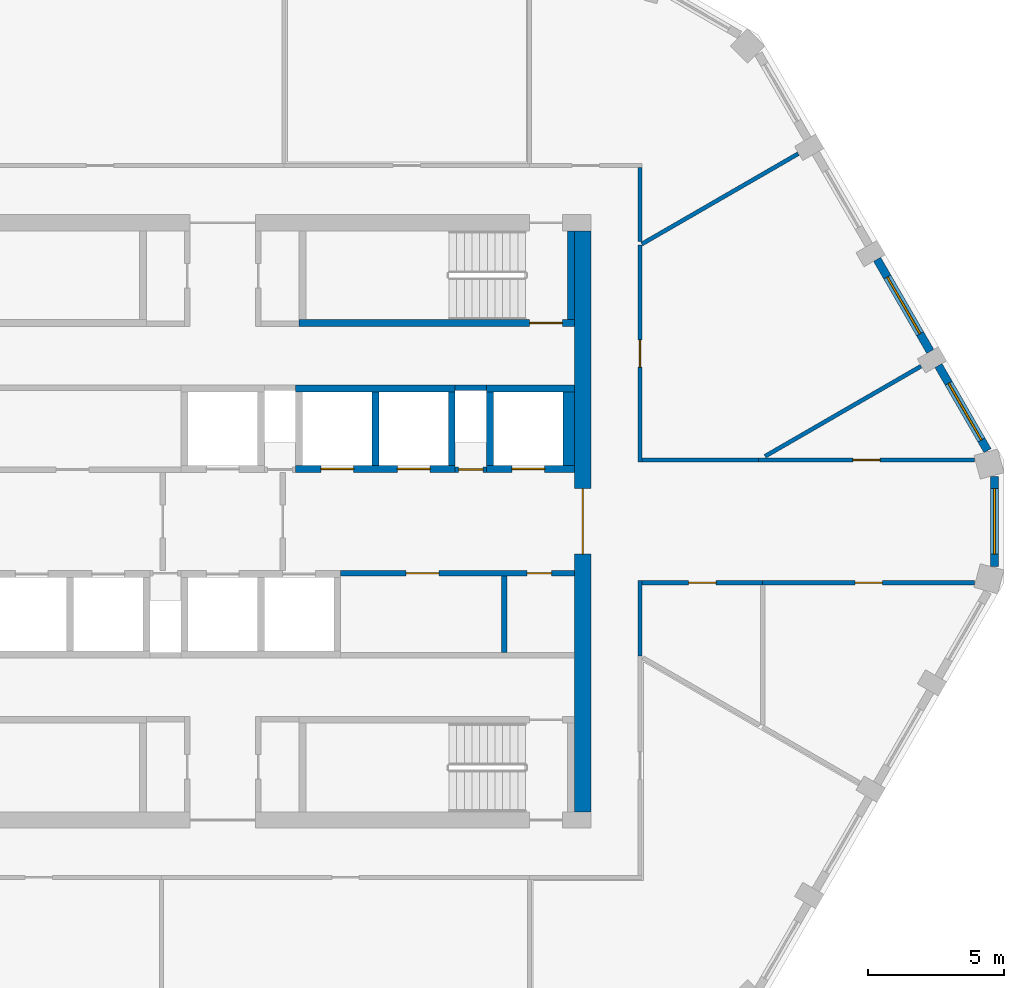
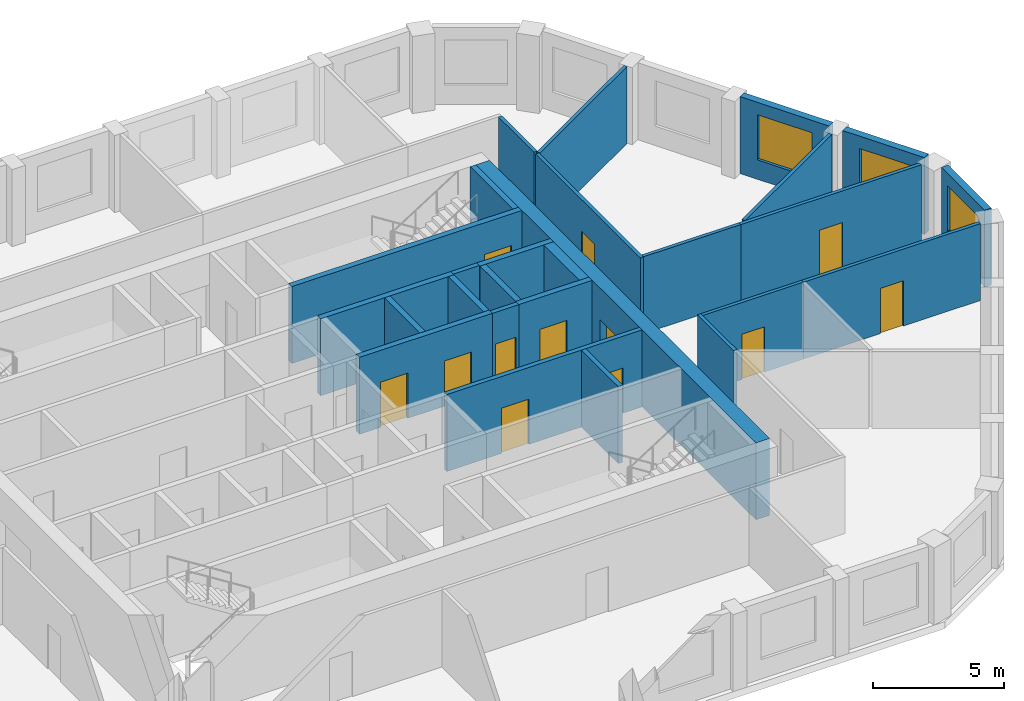
# One storey, part 5 of 10: 27 walls, 12 doors, 3 windows, 15 openings.
"""IFC4 building model written with IfcOpenShell, lengths in metres."""

import ifcopenshell
import ifcopenshell.guid

model = None  # the IFC model being written
_history = None  # IfcOwnerHistory: only IFC2X3 demands one
_inside = {}  # id of a spatial element -> (the spatial element, [elements in it])
_under = {}  # id of a project, library or spatial element -> (it, [spatial elements below it])
_declared = {}  # id of a project -> (the project, [libraries it declares])
_typed = {}  # id of a type object -> (the type object, [elements of that type])
_made_of = {}  # id of a material, layer set ... -> (it, [elements and type objects made of it])


def new_model(schema):
    """Start an empty IFC model of exactly this schema.

    Asked for "IFC4X3", IfcOpenShell would pick the latest addendum, in which some entities
    have other attributes; the version numbers below select the first issue.
    IFC2X3 requires an IfcOwnerHistory on every rooted entity: one is made here for all.
    """
    global model, _history
    if schema == "IFC4X3":
        model = ifcopenshell.file(schema_version=(4, 3, 0, 0))
    else:
        model = ifcopenshell.file(schema=schema)
    _inside.clear()
    _under.clear()
    _declared.clear()
    _typed.clear()
    _made_of.clear()
    _history = None
    if model.schema == "IFC2X3":
        org = make("IfcOrganization", Name="unknown")
        user = make(
            "IfcPersonAndOrganization",
            ThePerson=make("IfcPerson", FamilyName="unknown"),
            TheOrganization=org,
        )
        app = make(
            "IfcApplication",
            ApplicationDeveloper=org,
            Version="unknown",
            ApplicationFullName="unknown",
            ApplicationIdentifier="unknown",
        )
        _history = make(
            "IfcOwnerHistory",
            OwningUser=user,
            OwningApplication=app,
            ChangeAction="ADDED",
            CreationDate=0,
        )
    return model


def make(cls, **values):
    """One entity of the class cls with the attributes given. An attribute that is None is left unset."""
    return model.create_entity(
        cls, **{name: value for name, value in values.items() if value is not None}
    )


def rooted(cls, **values):
    """An entity with a GlobalId (a new one), such as an element, a storey or a relation."""
    return make(cls, GlobalId=ifcopenshell.guid.new(), OwnerHistory=_history, **values)


def si_unit(unit_type, name, prefix=None):
    """IfcSIUnit, for example si_unit("LENGTHUNIT", "METRE", prefix="MILLI")."""
    return make("IfcSIUnit", UnitType=unit_type, Prefix=prefix, Name=name)


def assignment(units):
    """IfcUnitAssignment: the units of a project."""
    return None if units is None else make("IfcUnitAssignment", Units=units)


def point(xyz):
    """IfcCartesianPoint."""
    return None if xyz is None else make("IfcCartesianPoint", Coordinates=xyz)


def direction(xyz):
    """IfcDirection."""
    return None if xyz is None else make("IfcDirection", DirectionRatios=xyz)


def frame(location, z_axis=None, x_axis=None):
    """IfcAxis2Placement3D, a coordinate frame: its origin and axes. An axis left out is left unset."""
    return make(
        "IfcAxis2Placement3D",
        Location=point(location),
        Axis=direction(z_axis),
        RefDirection=direction(x_axis),
    )


def frame_2d(location, x_axis=None):
    """IfcAxis2Placement2D, a coordinate frame in the plane: its origin and x axis."""
    return make(
        "IfcAxis2Placement2D", Location=point(location), RefDirection=direction(x_axis)
    )


def origin():
    """The frame at (0, 0, 0) with its axes left unset."""
    return frame((0.0, 0.0, 0.0))


def place(relative_to, where):
    """IfcLocalPlacement: puts the frame where relative to a parent placement (None: the world)."""
    return make(
        "IfcLocalPlacement", PlacementRelTo=relative_to, RelativePlacement=where
    )


def context(
    kind, dimensions, precision=None, world=None, true_north=None, identifier=None
):
    """IfcGeometricRepresentationContext, for example the 3D "Model" context."""
    return make(
        "IfcGeometricRepresentationContext",
        ContextIdentifier=identifier,
        ContextType=kind,
        CoordinateSpaceDimension=dimensions,
        Precision=precision,
        WorldCoordinateSystem=world,
        TrueNorth=true_north,
    )


def subcontext(parent, identifier, kind, view, scale=None):
    """IfcGeometricRepresentationSubContext, for example "Body" below "Model"."""
    return make(
        "IfcGeometricRepresentationSubContext",
        ContextIdentifier=identifier,
        ContextType=kind,
        ParentContext=parent,
        TargetScale=scale,
        TargetView=view,
    )


def project(units=None, contexts=None):
    """IfcProject with its units and contexts."""
    return rooted(
        "IfcProject",
        Name="project",
        RepresentationContexts=contexts,
        UnitsInContext=assignment(units),
    )


def spatial(cls, under=None, at=None, **own):
    """A site, building, storey or space (cls), placed at a placement, below another one or the project."""
    s = rooted(cls, ObjectPlacement=at, **own)
    if under is not None:
        _under.setdefault(under.id(), (under, []))[1].append(s)
    return s


def polyline(points):
    """IfcPolyline through the points."""
    return make("IfcPolyline", Points=[point(p) for p in points])


def profile(cls, at=None, kind="AREA", **sizes):
    """A parametric profile (cls). Its sizes go by their IFC names, for example OverallWidth=200.0."""
    return make(cls, ProfileType=kind, Position=at, **sizes)


def rectangle(**sizes):
    """IfcRectangleProfileDef."""
    return profile("IfcRectangleProfileDef", **sizes)


def outline(outer, holes=None, kind="AREA"):
    """IfcArbitraryClosedProfileDef: a profile drawn as a closed curve; with holes, ...WithVoids."""
    if holes is None:
        return make("IfcArbitraryClosedProfileDef", ProfileType=kind, OuterCurve=outer)
    return make(
        "IfcArbitraryProfileDefWithVoids",
        ProfileType=kind,
        OuterCurve=outer,
        InnerCurves=holes,
    )


def extrude(swept, where, along, depth):
    """IfcExtrudedAreaSolid: the profile swept, set in the frame where, extruded along a direction by depth."""
    return make(
        "IfcExtrudedAreaSolid",
        SweptArea=swept,
        Position=where,
        ExtrudedDirection=direction(along),
        Depth=depth,
    )


def shape(context_of_items, identifier, shape_type, items):
    """IfcShapeRepresentation: the items that make up one representation, for example the "Body"."""
    return make(
        "IfcShapeRepresentation",
        ContextOfItems=context_of_items,
        RepresentationIdentifier=identifier,
        RepresentationType=shape_type,
        Items=items,
    )


def material(Name=None, Category=None):
    """IfcMaterial."""
    return make("IfcMaterial", Name=Name, Category=Category)


def layer(
    of_material, thickness, ventilated=None, Name=None, Category=None, Priority=None
):
    """IfcMaterialLayer: one layer of a wall or slab, of a material (None: an air gap)."""
    return make(
        "IfcMaterialLayer",
        Material=of_material,
        LayerThickness=thickness,
        IsVentilated=ventilated,
        Name=Name,
        Category=Category,
        Priority=Priority,
    )


def layer_set(layers, Name=None):
    """IfcMaterialLayerSet."""
    return make("IfcMaterialLayerSet", MaterialLayers=layers, LayerSetName=Name)


def made_of(thing, what):
    """Note that an element or type object is made of a material, layer set ...; save() writes the relation."""
    if what is not None:
        _made_of.setdefault(what.id(), (what, []))[1].append(thing)
    return thing


def type_object(cls, material=None, **own):
    """A type object (cls), such as IfcWallType, which elements share."""
    return made_of(rooted(cls, **own), material)


def element(
    cls,
    number,
    at=None,
    inside=None,
    cuts=None,
    type_object=None,
    material=None,
    context=None,
    identifier="Body",
    shape_type=None,
    held_by="IfcProductDefinitionShape",
    body=None,
    shapes=None,
    **own,
):
    """One element of the class cls, such as IfcWall. Its Tag is "e" and its number.

    at: its placement. inside: the storey or other place that contains it. cuts: it is an
    opening in that element (IfcRelVoidsElement). A single representation is given by context,
    identifier, shape_type and body (its items); several are given by shapes. held_by: the class
    of the entity that holds the representations. save() writes the other relations.
    """
    e = rooted(cls, Tag="e%d" % number, ObjectPlacement=at, **own)
    if body is not None:
        shapes = [shape(context, identifier, shape_type, body)]
    if shapes is not None:
        e.Representation = make(held_by, Representations=shapes)
    if inside is not None:
        _inside.setdefault(inside.id(), (inside, []))[1].append(e)
    if cuts is not None:
        rooted(
            "IfcRelVoidsElement", RelatingBuildingElement=cuts, RelatedOpeningElement=e
        )
    if type_object is not None:
        _typed.setdefault(type_object.id(), (type_object, []))[1].append(e)
    return made_of(e, material)


def fill(opening, filler):
    """IfcRelFillsElement: the door or window that sits in an opening."""
    return rooted(
        "IfcRelFillsElement",
        RelatingOpeningElement=opening,
        RelatedBuildingElement=filler,
    )


def aggregate(whole, parts):
    """IfcRelAggregates: a whole, such as a stair, and the parts it consists of."""
    return rooted("IfcRelAggregates", RelatingObject=whole, RelatedObjects=parts)


def save(model, path):
    """Write the relations noted so far, then the file.

    IfcRelAggregates (storeys below a building ...), IfcRelContainedInSpatialStructure (elements
    in a storey), IfcRelDefinesByType, IfcRelAssociatesMaterial and IfcRelDeclares: one each for
    every whole, place, type object, material and project.
    """
    for whole, parts in _under.values():
        aggregate(whole, parts)
    for where, things in _inside.values():
        rooted(
            "IfcRelContainedInSpatialStructure",
            RelatedElements=things,
            RelatingStructure=where,
        )
    for kind, things in _typed.values():
        rooted("IfcRelDefinesByType", RelatedObjects=things, RelatingType=kind)
    for what, things in _made_of.values():
        rooted("IfcRelAssociatesMaterial", RelatedObjects=things, RelatingMaterial=what)
    for by, libraries in _declared.values():
        rooted("IfcRelDeclares", RelatingContext=by, RelatedDefinitions=libraries)
    model.write(path)


model = new_model("IFC4")

# Units and contexts
model_context = context("Model", 3, precision=1e-05, world=origin(), true_north=direction((0.0, 1.0)))
body_context = subcontext(model_context, "Body", "Model", "MODEL_VIEW")
ifc_project = project(units=[si_unit("LENGTHUNIT", "METRE"), si_unit("AREAUNIT", "SQUARE_METRE"), si_unit("VOLUMEUNIT", "CUBIC_METRE"), si_unit("PLANEANGLEUNIT", "RADIAN"), si_unit("MASSUNIT", "GRAM", prefix="KILO")], contexts=[model_context])

# Site, building, storey
site_placement = place(None, origin())
site = spatial("IfcSite", under=ifc_project, at=site_placement, CompositionType="ELEMENT")
building_placement = place(site_placement, origin())
building = spatial("IfcBuilding", under=site, at=building_placement, Name="Dhurran Vertical Campus", CompositionType="ELEMENT")
storey_placement = place(building_placement, frame((0.0, 0.0, 298.199951171875)))
storey = spatial("IfcBuildingStorey", under=building, at=storey_placement, Name="L74", CompositionType="ELEMENT", Elevation=298.199951171875)

# Wall, opening, window
ifc_material_1 = material(Name="Precast concrete C50/60", Category="concrete")
ifc_layer_1 = layer(ifc_material_1, 0.300048828125)
ifc_layer_set_1 = layer_set([ifc_layer_1], Name="Precast concrete C50/60")
wall_type_1 = type_object("IfcWallType", Name="Precast spandrel wall 300", PredefinedType="SOLIDWALL", material=ifc_layer_set_1)
wall_1_placement = place(storey_placement, frame((28.297119140625, -1.64990234375, 0.0), z_axis=(0.0, 0.0, 1.0), x_axis=(0.0, 1.0, 0.0)))
wall_1 = element("IfcWall", 1, at=wall_1_placement, inside=storey, type_object=wall_type_1, Name="EW1 L74.12", PredefinedType="SOLIDWALL", context=body_context, shape_type="SweptSolid", body=[
    extrude(rectangle(XDim=3.2998046875, YDim=0.300048828125, at=frame_2d((1.64990234375, 0.0))), origin(), (0.0, 0.0, 1.0), 3.574951171875),
])
opening_1_placement = place(wall_1_placement, frame((0.449951171875, 0.0, 0.89990234375)))
opening_1 = element("IfcOpeningElement", 2, at=opening_1_placement, cuts=wall_1, Name="Opening WT1", PredefinedType="OPENING", context=body_context, shape_type="SweptSolid", body=[
    extrude(rectangle(XDim=2.39990234375, YDim=2.10009765625, at=frame_2d((1.199951171875, 1.050048828125))), frame((0.0, 0.159912109375, 0.0), z_axis=(0.0, -1.0, 0.0), x_axis=(1.0, 0.0, 0.0)), (0.0, 0.0, 1.0), 0.320068359375),
])
ifc_material_2 = material(Name="Aluminium frame with solar-control glass", Category="aluminium")
window_type = type_object("IfcWindowType", Name="Punched window 2400 x 2100", PartitioningType="SINGLE_PANEL", PredefinedType="WINDOW", material=ifc_material_2)
window_1_placement = place(opening_1_placement, origin())
window_1 = element("IfcWindow", 3, at=window_1_placement, inside=storey, type_object=window_type, Name="WT1 L74.12", OverallHeight=2.10009765625, OverallWidth=2.39990234375, PartitioningType="SINGLE_PANEL", PredefinedType="WINDOW", context=body_context, shape_type="SweptSolid", body=[
    extrude(rectangle(XDim=2.39990234375, YDim=2.10009765625, at=frame_2d((1.199951171875, 1.050048828125))), frame((0.0, 0.030029296875, 0.0), z_axis=(0.0, -1.0, 0.0), x_axis=(1.0, 0.0, 0.0)), (0.0, 0.0, 1.0), 0.06005859375),
])
fill(opening_1, window_1)

wall_2_placement = place(storey_placement, frame((28.0439453125, 2.5947265625, 0.0), z_axis=(0.0, 0.0, 1.0), x_axis=(-0.499969057507, 0.866043267704, 0.0)))
wall_2 = element("IfcWall", 4, at=wall_2_placement, inside=storey, type_object=wall_type_1, Name="EW1 L74.13", PredefinedType="SOLIDWALL", context=body_context, shape_type="SweptSolid", body=[
    extrude(rectangle(XDim=3.599365234375, YDim=0.300048828125, at=frame_2d((1.7998046875, 0.0))), origin(), (0.0, 0.0, 1.0), 3.574951171875),
])
opening_2_placement = place(wall_2_placement, frame((0.449951171875, 0.0, 0.89990234375)))
opening_2 = element("IfcOpeningElement", 5, at=opening_2_placement, cuts=wall_2, Name="Opening WT1", PredefinedType="OPENING", context=body_context, shape_type="SweptSolid", body=[
    extrude(rectangle(XDim=2.39990234375, YDim=2.10009765625, at=frame_2d((1.199951171875, 1.050048828125))), frame((0.0, 0.159912109375, 0.0), z_axis=(0.0, -1.0, 0.0), x_axis=(1.0, 0.0, 0.0)), (0.0, 0.0, 1.0), 0.320068359375),
])
window_2_placement = place(opening_2_placement, origin())
window_2 = element("IfcWindow", 6, at=window_2_placement, inside=storey, type_object=window_type, Name="WT1 L74.13", OverallHeight=2.10009765625, OverallWidth=2.39990234375, PartitioningType="SINGLE_PANEL", PredefinedType="WINDOW", context=body_context, shape_type="SweptSolid", body=[
    extrude(rectangle(XDim=2.39990234375, YDim=2.10009765625, at=frame_2d((1.199951171875, 1.050048828125))), frame((0.0, 0.030029296875, 0.0), z_axis=(0.0, -1.0, 0.0), x_axis=(1.0, 0.0, 0.0)), (0.0, 0.0, 1.0), 0.06005859375),
])
fill(opening_2, window_2)

wall_3_placement = place(storey_placement, frame((25.94384765625, 6.232421875, 0.0), z_axis=(0.0, 0.0, 1.0), x_axis=(-0.500011542666, 0.866018739521, 0.0)))
wall_3 = element("IfcWall", 7, at=wall_3_placement, inside=storey, type_object=wall_type_1, Name="EW1 L74.14", PredefinedType="SOLIDWALL", context=body_context, shape_type="SweptSolid", body=[
    extrude(rectangle(XDim=3.89892578125, YDim=0.300048828125, at=frame_2d((1.949462890625, 0.0))), origin(), (0.0, 0.0, 1.0), 3.574951171875),
])
opening_3_placement = place(wall_3_placement, frame((0.74951171875, 0.0, 0.89990234375)))
opening_3 = element("IfcOpeningElement", 8, at=opening_3_placement, cuts=wall_3, Name="Opening WT1", PredefinedType="OPENING", context=body_context, shape_type="SweptSolid", body=[
    extrude(rectangle(XDim=2.39990234375, YDim=2.10009765625, at=frame_2d((1.199951171875, 1.050048828125))), frame((0.0, 0.159912109375, 0.0), z_axis=(0.0, -1.0, 0.0), x_axis=(1.0, 0.0, 0.0)), (0.0, 0.0, 1.0), 0.320068359375),
])
window_3_placement = place(opening_3_placement, origin())
window_3 = element("IfcWindow", 9, at=window_3_placement, inside=storey, type_object=window_type, Name="WT1 L74.14", OverallHeight=2.10009765625, OverallWidth=2.39990234375, PartitioningType="SINGLE_PANEL", PredefinedType="WINDOW", context=body_context, shape_type="SweptSolid", body=[
    extrude(rectangle(XDim=2.39990234375, YDim=2.10009765625, at=frame_2d((1.199951171875, 1.050048828125))), frame((0.0, 0.030029296875, 0.0), z_axis=(0.0, -1.0, 0.0), x_axis=(1.0, 0.0, 0.0)), (0.0, 0.0, 1.0), 0.06005859375),
])
fill(opening_3, window_3)

# Wall, opening, door
ifc_material_3 = material(Name="Concrete C50/60", Category="concrete")
ifc_layer_2 = layer(ifc_material_3, 0.60009765625)
ifc_layer_set_2 = layer_set([ifc_layer_2], Name="Concrete C50/60")
wall_type_2 = type_object("IfcWallType", Name="co-CORE-WALL-C2-600", PredefinedType="SHEAR", material=ifc_layer_set_2)
wall_4_placement = place(storey_placement, frame((13.199951171875, -10.64990234375, 0.0), z_axis=(0.0, 0.0, 1.0), x_axis=(0.0, 1.0, 0.0)))
wall_4 = element("IfcWall", 10, at=wall_4_placement, inside=storey, type_object=wall_type_2, Name="Core wall E L74", PredefinedType="SHEAR", context=body_context, shape_type="SweptSolid", body=[
    extrude(rectangle(XDim=21.2998046875, YDim=0.60009765625, at=frame_2d((10.64990234375, 0.0))), origin(), (0.0, 0.0, 1.0), 3.574951171875),
])
opening_4_placement = place(wall_4_placement, frame((9.449951171875, 0.0, 0.0)))
opening_4 = element("IfcOpeningElement", 11, at=opening_4_placement, cuts=wall_4, Name="Opening CL2", PredefinedType="OPENING", context=body_context, shape_type="SweptSolid", body=[
    extrude(rectangle(XDim=2.39990234375, YDim=2.10009765625, at=frame_2d((1.199951171875, 1.050048828125))), frame((0.0, 0.31005859375, 0.0), z_axis=(0.0, -1.0, 0.0), x_axis=(1.0, 0.0, 0.0)), (0.0, 0.0, 1.0), 0.6201171875),
])
ifc_material_4 = material(Name="Fire-rated glazed door set")
door_type_1 = type_object("IfcDoorType", Name="co-D-LOBBY 2400x2100", OperationType="DOUBLE_DOOR_DOUBLE_SWING", PredefinedType="DOOR", material=ifc_material_4)
door_1_placement = place(opening_4_placement, origin())
door_1 = element("IfcDoor", 12, at=door_1_placement, inside=storey, type_object=door_type_1, Name="Lift lobby door E L74", OperationType="DOUBLE_DOOR_DOUBLE_SWING", OverallHeight=2.10009765625, OverallWidth=2.39990234375, PredefinedType="DOOR", context=body_context, shape_type="SweptSolid", body=[
    extrude(rectangle(XDim=2.39990234375, YDim=2.10009765625, at=frame_2d((1.199951171875, 1.050048828125))), frame((0.0, 0.02490234375, 0.0), z_axis=(0.0, -1.0, 0.0), x_axis=(1.0, 0.0, 0.0)), (0.0, 0.0, 1.0), 0.050048828125),
])
fill(opening_4, door_1)

ifc_material_5 = material(Name="Fire-rated masonry blockwork", Category="masonry")
ifc_layer_3 = layer(ifc_material_5, 0.199951171875)
ifc_layer_set_3 = layer_set([ifc_layer_3], Name="Fire-rated masonry blockwork")
wall_type_3 = type_object("IfcWallType", Name="co-FIRE-PARTITION-200", PredefinedType="PARTITIONING", material=ifc_layer_set_3)
wall_5_placement = place(storey_placement, frame((8.52490234375, 1.89990234375, 0.0), z_axis=(0.0, 0.0, 1.0), x_axis=(1.0, 0.0, 0.0)))
wall_5 = element("IfcWall", 13, at=wall_5_placement, inside=storey, type_object=wall_type_3, Name="Core partition fr-N2-f L74", PredefinedType="PARTITIONING", context=body_context, shape_type="SweptSolid", body=[
    extrude(rectangle(XDim=1.150146484375, YDim=0.199951171875, at=frame_2d((0.5751953125, 0.0))), origin(), (0.0, 0.0, 1.0), 3.574951171875),
])
opening_5_placement = place(wall_5_placement, frame((0.125, 0.0, 0.0)))
opening_5 = element("IfcOpeningElement", 14, at=opening_5_placement, cuts=wall_5, Name="Opening T22-C8", PredefinedType="OPENING", context=body_context, shape_type="SweptSolid", body=[
    extrude(rectangle(XDim=0.89990234375, YDim=2.10009765625, at=frame_2d((0.449951171875, 1.050048828125))), frame((0.0, 0.10986328125, 0.0), z_axis=(0.0, -1.0, 0.0), x_axis=(1.0, 0.0, 0.0)), (0.0, 0.0, 1.0), 0.219970703125),
])
ifc_material_6 = material(Name="Fire-rated timber door set", Category="wood")
door_type_2 = type_object("IfcDoorType", Name="co-D-ROOM 900x2100", OperationType="SINGLE_SWING_LEFT", PredefinedType="DOOR", material=ifc_material_6)
door_2_placement = place(opening_5_placement, origin())
door_2 = element("IfcDoor", 15, at=door_2_placement, inside=storey, type_object=door_type_2, Name="Communications riser door L74", OperationType="SINGLE_SWING_LEFT", OverallHeight=2.10009765625, OverallWidth=0.89990234375, PredefinedType="DOOR", context=body_context, shape_type="SweptSolid", body=[
    extrude(rectangle(XDim=0.89990234375, YDim=2.10009765625, at=frame_2d((0.449951171875, 1.050048828125))), frame((0.0, 0.02490234375, 0.0), z_axis=(0.0, -1.0, 0.0), x_axis=(1.0, 0.0, 0.0)), (0.0, 0.0, 1.0), 0.050048828125),
])
fill(opening_5, door_2)

# Walls
wall_6_placement = place(storey_placement, frame((8.52490234375, 4.89990234375, 0.0), z_axis=(0.0, 0.0, 1.0), x_axis=(1.0, 0.0, 0.0)))
element("IfcWall", 16, at=wall_6_placement, inside=storey, type_object=wall_type_3, Name="Core partition fr-N2-b L74", PredefinedType="PARTITIONING", context=body_context, shape_type="SweptSolid", body=[
    extrude(rectangle(XDim=1.150146484375, YDim=0.199951171875, at=frame_2d((0.5751953125, 0.0))), origin(), (0.0, 0.0, 1.0), 3.574951171875),
])
wall_7_placement = place(storey_placement, frame((10.327392578125, -4.800048828125, 0.0), z_axis=(0.0, 0.0, 1.0), x_axis=(0.0, 1.0, 0.0)))
element("IfcWall", 17, at=wall_7_placement, inside=storey, type_object=wall_type_3, Name="Core partition fr-S2-cut0 L74", PredefinedType="PARTITIONING", context=body_context, shape_type="SweptSolid", body=[
    extrude(rectangle(XDim=2.800048828125, YDim=0.199951171875, at=frame_2d((1.39990234375, 0.0))), origin(), (0.0, 0.0, 1.0), 3.574951171875),
])

# Wall, openings, doors
wall_8_placement = place(storey_placement, frame((4.324951171875, -1.89990234375, 0.0), z_axis=(0.0, 0.0, 1.0), x_axis=(1.0, 0.0, 0.0)))
wall_8 = element("IfcWall", 18, at=wall_8_placement, inside=storey, type_object=wall_type_3, Name="Core partition fr-S2-f L74", PredefinedType="PARTITIONING", context=body_context, shape_type="SweptSolid", body=[
    extrude(rectangle(XDim=8.574951171875, YDim=0.199951171875, at=frame_2d((4.28759765625, 0.0))), origin(), (0.0, 0.0, 1.0), 3.574951171875),
])
opening_6_placement = place(wall_8_placement, frame((2.4013671875, 0.0, 0.0)))
opening_6 = element("IfcOpeningElement", 19, at=opening_6_placement, cuts=wall_8, Name="Opening T22-C11", PredefinedType="OPENING", context=body_context, shape_type="SweptSolid", body=[
    extrude(rectangle(XDim=1.199951171875, YDim=2.10009765625, at=frame_2d((0.60009765625, 1.050048828125))), frame((0.0, 0.10986328125, 0.0), z_axis=(0.0, -1.0, 0.0), x_axis=(1.0, 0.0, 0.0)), (0.0, 0.0, 1.0), 0.219970703125),
])
opening_7_placement = place(wall_8_placement, frame((6.8388671875, 0.0, 0.0)))
opening_7 = element("IfcOpeningElement", 20, at=opening_7_placement, cuts=wall_8, Name="Opening T22-C12", PredefinedType="OPENING", context=body_context, shape_type="SweptSolid", body=[
    extrude(rectangle(XDim=0.89990234375, YDim=2.10009765625, at=frame_2d((0.449951171875, 1.050048828125))), frame((0.0, 0.10986328125, 0.0), z_axis=(0.0, -1.0, 0.0), x_axis=(1.0, 0.0, 0.0)), (0.0, 0.0, 1.0), 0.219970703125),
])
door_3_placement = place(opening_7_placement, origin())
door_3 = element("IfcDoor", 21, at=door_3_placement, inside=storey, type_object=door_type_2, Name="Server room door L74", OperationType="SINGLE_SWING_LEFT", OverallHeight=2.10009765625, OverallWidth=0.89990234375, PredefinedType="DOOR", context=body_context, shape_type="SweptSolid", body=[
    extrude(rectangle(XDim=0.89990234375, YDim=2.10009765625, at=frame_2d((0.449951171875, 1.050048828125))), frame((0.0, 0.02490234375, 0.0), z_axis=(0.0, -1.0, 0.0), x_axis=(1.0, 0.0, 0.0)), (0.0, 0.0, 1.0), 0.050048828125),
])
fill(opening_7, door_3)
ifc_material_7 = material(Name="Fire-rated steel door set", Category="steel")
door_type_3 = type_object("IfcDoorType", Name="co-D-ROOM-PASSAGE 1200x2100", OperationType="SINGLE_SWING_RIGHT", PredefinedType="DOOR", material=ifc_material_7)
door_4_placement = place(opening_6_placement, origin())
door_4 = element("IfcDoor", 22, at=door_4_placement, inside=storey, type_object=door_type_3, Name="Store door L74", OperationType="SINGLE_SWING_RIGHT", OverallHeight=2.10009765625, OverallWidth=1.199951171875, PredefinedType="DOOR", context=body_context, shape_type="SweptSolid", body=[
    extrude(rectangle(XDim=1.199951171875, YDim=2.10009765625, at=frame_2d((0.60009765625, 1.050048828125))), frame((0.0, 0.02490234375, 0.0), z_axis=(0.0, -1.0, 0.0), x_axis=(1.0, 0.0, 0.0)), (0.0, 0.0, 1.0), 0.050048828125),
])
fill(opening_6, door_4)

ifc_material_8 = material(Name="Concrete C50/60", Category="concrete")
ifc_layer_4 = layer(ifc_material_8, 0.25)
ifc_layer_set_4 = layer_set([ifc_layer_4], Name="Concrete C50/60")
wall_type_4 = type_object("IfcWallType", Name="co-SHAFT-FRONT-250", PredefinedType="SHEAR", material=ifc_layer_set_4)
wall_9_placement = place(storey_placement, frame((2.675048828125, 1.925048828125, 0.0), z_axis=(0.0, 0.0, 1.0), x_axis=(1.0, 0.0, 0.0)))
wall_9 = element("IfcWall", 23, at=wall_9_placement, inside=storey, type_object=wall_type_4, Name="Lift landing wall N L74", PredefinedType="SHEAR", context=body_context, shape_type="SweptSolid", body=[
    extrude(rectangle(XDim=5.849853515625, YDim=0.25, at=frame_2d((2.9248046875, 0.0))), origin(), (0.0, 0.0, 1.0), 3.574951171875),
])
opening_8_placement = place(wall_9_placement, frame((0.925048828125, 0.0, 0.0)))
opening_8 = element("IfcOpeningElement", 24, at=opening_8_placement, cuts=wall_9, Name="Opening LD", PredefinedType="OPENING", context=body_context, shape_type="SweptSolid", body=[
    extrude(rectangle(XDim=1.199951171875, YDim=2.10009765625, at=frame_2d((0.60009765625, 1.050048828125))), frame((0.0, 0.135009765625, 0.0), z_axis=(0.0, -1.0, 0.0), x_axis=(1.0, 0.0, 0.0)), (0.0, 0.0, 1.0), 0.27001953125),
])
opening_9_placement = place(wall_9_placement, frame((3.72509765625, 0.0, 0.0)))
opening_9 = element("IfcOpeningElement", 25, at=opening_9_placement, cuts=wall_9, Name="Opening LD", PredefinedType="OPENING", context=body_context, shape_type="SweptSolid", body=[
    extrude(rectangle(XDim=1.199951171875, YDim=2.10009765625, at=frame_2d((0.60009765625, 1.050048828125))), frame((0.0, 0.135009765625, 0.0), z_axis=(0.0, -1.0, 0.0), x_axis=(1.0, 0.0, 0.0)), (0.0, 0.0, 1.0), 0.27001953125),
])
ifc_material_9 = material(Name="Stainless steel landing door", Category="steel")
door_type_4 = type_object("IfcDoorType", Name="co-D-LANDING 1200x2100", OperationType="DOUBLE_DOOR_SLIDING", PredefinedType="DOOR", material=ifc_material_9)
door_5_placement = place(opening_8_placement, origin())
door_5 = element("IfcDoor", 26, at=door_5_placement, inside=storey, type_object=door_type_4, Name="Landing door HR1 L74", OperationType="DOUBLE_DOOR_SLIDING", OverallHeight=2.10009765625, OverallWidth=1.199951171875, PredefinedType="DOOR", context=body_context, shape_type="SweptSolid", body=[
    extrude(rectangle(XDim=1.199951171875, YDim=2.10009765625, at=frame_2d((0.60009765625, 1.050048828125))), frame((0.0, 0.02490234375, 0.0), z_axis=(0.0, -1.0, 0.0), x_axis=(1.0, 0.0, 0.0)), (0.0, 0.0, 1.0), 0.050048828125),
])
fill(opening_8, door_5)
door_6_placement = place(opening_9_placement, origin())
door_6 = element("IfcDoor", 27, at=door_6_placement, inside=storey, type_object=door_type_4, Name="Landing door HR2 L74", OperationType="DOUBLE_DOOR_SLIDING", OverallHeight=2.10009765625, OverallWidth=1.199951171875, PredefinedType="DOOR", context=body_context, shape_type="SweptSolid", body=[
    extrude(rectangle(XDim=1.199951171875, YDim=2.10009765625, at=frame_2d((0.60009765625, 1.050048828125))), frame((0.0, 0.02490234375, 0.0), z_axis=(0.0, -1.0, 0.0), x_axis=(1.0, 0.0, 0.0)), (0.0, 0.0, 1.0), 0.050048828125),
])
fill(opening_9, door_6)

# Wall, opening, door
wall_10_placement = place(storey_placement, frame((9.675048828125, 1.925048828125, 0.0), z_axis=(0.0, 0.0, 1.0), x_axis=(1.0, 0.0, 0.0)))
wall_10 = element("IfcWall", 28, at=wall_10_placement, inside=storey, type_object=wall_type_4, Name="Lift landing wall N L74", PredefinedType="SHEAR", context=body_context, shape_type="SweptSolid", body=[
    extrude(rectangle(XDim=3.224853515625, YDim=0.25, at=frame_2d((1.6123046875, 0.0))), origin(), (0.0, 0.0, 1.0), 3.574951171875),
])
opening_10_placement = place(wall_10_placement, frame((0.925048828125, 0.0, 0.0)))
opening_10 = element("IfcOpeningElement", 29, at=opening_10_placement, cuts=wall_10, Name="Opening LD", PredefinedType="OPENING", context=body_context, shape_type="SweptSolid", body=[
    extrude(rectangle(XDim=1.199951171875, YDim=2.10009765625, at=frame_2d((0.60009765625, 1.050048828125))), frame((0.0, 0.135009765625, 0.0), z_axis=(0.0, -1.0, 0.0), x_axis=(1.0, 0.0, 0.0)), (0.0, 0.0, 1.0), 0.27001953125),
])
door_7_placement = place(opening_10_placement, origin())
door_7 = element("IfcDoor", 30, at=door_7_placement, inside=storey, type_object=door_type_4, Name="Landing door SV2 L74", OperationType="DOUBLE_DOOR_SLIDING", OverallHeight=2.10009765625, OverallWidth=1.199951171875, PredefinedType="DOOR", context=body_context, shape_type="SweptSolid", body=[
    extrude(rectangle(XDim=1.199951171875, YDim=2.10009765625, at=frame_2d((0.60009765625, 1.050048828125))), frame((0.0, 0.02490234375, 0.0), z_axis=(0.0, -1.0, 0.0), x_axis=(1.0, 0.0, 0.0)), (0.0, 0.0, 1.0), 0.050048828125),
])
fill(opening_10, door_7)

# Walls
ifc_material_10 = material(Name="Concrete C50/60", Category="concrete")
ifc_layer_5 = layer(ifc_material_10, 0.25)
ifc_layer_set_5 = layer_set([ifc_layer_5], Name="Concrete C50/60")
wall_type_5 = type_object("IfcWallType", Name="co-SHAFT-MASS-250", PredefinedType="SHEAR", material=ifc_layer_set_5)
wall_11_placement = place(storey_placement, origin())
element("IfcWall", 31, at=wall_11_placement, inside=storey, type_object=wall_type_5, Name="Lift shaft wall N L74 2", PredefinedType="SHEAR", context=body_context, shape_type="SweptSolid", body=[
    extrude(outline(polyline([(2.675048828125, 4.75), (8.52490234375, 4.75), (8.52490234375, 5.0), (2.675048828125, 5.0), (2.675048828125, 4.75)])), origin(), (0.0, 0.0, 1.0), 3.574951171875),
])
wall_12_placement = place(storey_placement, origin())
element("IfcWall", 32, at=wall_12_placement, inside=storey, type_object=wall_type_5, Name="Lift shaft wall N L74 3", PredefinedType="SHEAR", context=body_context, shape_type="SweptSolid", body=[
    extrude(outline(polyline([(9.675048828125, 4.75), (12.89990234375, 4.75), (12.89990234375, 5.0), (9.675048828125, 5.0), (9.675048828125, 4.75)])), origin(), (0.0, 0.0, 1.0), 3.574951171875),
])
wall_13_placement = place(storey_placement, origin())
element("IfcWall", 33, at=wall_13_placement, inside=storey, type_object=wall_type_5, Name="Lift shaft wall N L74 7", PredefinedType="SHEAR", context=body_context, shape_type="SweptSolid", body=[
    extrude(outline(polyline([(5.47509765625, 2.050048828125), (5.72509765625, 2.050048828125), (5.72509765625, 4.75), (5.47509765625, 4.75), (5.47509765625, 2.050048828125)])), origin(), (0.0, 0.0, 1.0), 3.574951171875),
])
wall_14_placement = place(storey_placement, origin())
element("IfcWall", 34, at=wall_14_placement, inside=storey, type_object=wall_type_5, Name="Lift shaft wall N L74 8", PredefinedType="SHEAR", context=body_context, shape_type="SweptSolid", body=[
    extrude(outline(polyline([(8.27490234375, 2.050048828125), (8.52490234375, 2.050048828125), (8.52490234375, 4.75), (8.27490234375, 4.75), (8.27490234375, 2.050048828125)])), origin(), (0.0, 0.0, 1.0), 3.574951171875),
])
wall_15_placement = place(storey_placement, origin())
element("IfcWall", 35, at=wall_15_placement, inside=storey, type_object=wall_type_5, Name="Lift shaft wall N L74 9", PredefinedType="SHEAR", context=body_context, shape_type="SweptSolid", body=[
    extrude(outline(polyline([(9.675048828125, 2.050048828125), (9.925048828125, 2.050048828125), (9.925048828125, 4.75), (9.675048828125, 4.75), (9.675048828125, 2.050048828125)])), origin(), (0.0, 0.0, 1.0), 3.574951171875),
])
wall_16_placement = place(storey_placement, origin())
element("IfcWall", 36, at=wall_16_placement, inside=storey, type_object=wall_type_5, Name="Lift shaft wall N L74 10", PredefinedType="SHEAR", context=body_context, shape_type="SweptSolid", body=[
    extrude(outline(polyline([(12.47509765625, 2.050048828125), (12.89990234375, 2.050048828125), (12.89990234375, 4.75), (12.47509765625, 4.75), (12.47509765625, 2.050048828125)])), origin(), (0.0, 0.0, 1.0), 3.574951171875),
])

# Wall, opening, door
ifc_material_11 = material(Name="Concrete C40/50", Category="concrete")
ifc_layer_6 = layer(ifc_material_11, 0.25)
ifc_layer_set_6 = layer_set([ifc_layer_6], Name="Concrete C40/50")
wall_type_6 = type_object("IfcWallType", Name="co-STAIR-WALL-250", PredefinedType="SHEAR", material=ifc_layer_set_6)
wall_17_placement = place(storey_placement, frame((2.800048828125, 7.27490234375, 0.0), z_axis=(0.0, 0.0, 1.0), x_axis=(1.0, 0.0, 0.0)))
wall_17 = element("IfcWall", 37, at=wall_17_placement, inside=storey, type_object=wall_type_6, Name="Stair ST2 enclosure wall L74", PredefinedType="SHEAR", context=body_context, shape_type="SweptSolid", body=[
    extrude(rectangle(XDim=10.099853515625, YDim=0.25, at=frame_2d((5.0498046875, 0.0))), origin(), (0.0, 0.0, 1.0), 3.574951171875),
])
opening_11_placement = place(wall_17_placement, frame((8.449951171875, 0.0, 0.0)))
opening_11 = element("IfcOpeningElement", 38, at=opening_11_placement, cuts=wall_17, Name="Opening SD2", PredefinedType="OPENING", context=body_context, shape_type="SweptSolid", body=[
    extrude(rectangle(XDim=1.199951171875, YDim=2.10009765625, at=frame_2d((0.60009765625, 1.050048828125))), frame((0.0, 0.135009765625, 0.0), z_axis=(0.0, -1.0, 0.0), x_axis=(1.0, 0.0, 0.0)), (0.0, 0.0, 1.0), 0.27001953125),
])
ifc_material_12 = material(Name="Fire-rated steel door set", Category="steel")
door_type_5 = type_object("IfcDoorType", Name="co-D-STAIR 1200x2100", OperationType="SINGLE_SWING_LEFT", PredefinedType="DOOR", material=ifc_material_12)
door_8_placement = place(opening_11_placement, origin())
door_8 = element("IfcDoor", 39, at=door_8_placement, inside=storey, type_object=door_type_5, Name="Stair ST2 door L74", OperationType="SINGLE_SWING_LEFT", OverallHeight=2.10009765625, OverallWidth=1.199951171875, PredefinedType="DOOR", context=body_context, shape_type="SweptSolid", body=[
    extrude(rectangle(XDim=1.199951171875, YDim=2.10009765625, at=frame_2d((0.60009765625, 1.050048828125))), frame((0.0, 0.02490234375, 0.0), z_axis=(0.0, -1.0, 0.0), x_axis=(1.0, 0.0, 0.0)), (0.0, 0.0, 1.0), 0.050048828125),
])
fill(opening_11, door_8)

# Walls
wall_18_placement = place(storey_placement, frame((12.77490234375, 7.39990234375, 0.0), z_axis=(0.0, 0.0, 1.0), x_axis=(0.0, 1.0, 0.0)))
element("IfcWall", 40, at=wall_18_placement, inside=storey, type_object=wall_type_6, Name="Stair ST2 enclosure wall L74", PredefinedType="SHEAR", context=body_context, shape_type="SweptSolid", body=[
    extrude(rectangle(XDim=3.25, YDim=0.25, at=frame_2d((1.625, 0.0))), origin(), (0.0, 0.0, 1.0), 3.574951171875),
])
ifc_material_13 = material(Name="Gypsum board corridor wall on steel studs", Category="steel")
ifc_layer_7 = layer(ifc_material_13, 0.14990234375)
ifc_layer_set_7 = layer_set([ifc_layer_7], Name="Gypsum board corridor wall on steel studs")
wall_type_7 = type_object("IfcWallType", Name="fl-CW-150 corridor wall", PredefinedType="PARTITIONING", material=ifc_layer_set_7)
wall_19_placement = place(storey_placement, frame((15.300048828125, -4.93603515625, 0.0), z_axis=(0.0, 0.0, 1.0), x_axis=(0.0, 1.0, 0.0)))
element("IfcWall", 41, at=wall_19_placement, inside=storey, type_object=wall_type_7, Name="Partition 74-33", PredefinedType="PARTITIONING", context=body_context, shape_type="SweptSolid", body=[
    extrude(rectangle(XDim=2.760986328125, YDim=0.14990234375, at=frame_2d((1.38037109375, 0.0))), origin(), (0.0, 0.0, 1.0), 3.574951171875),
])

# Wall, opening, door
wall_20_placement = place(storey_placement, frame((19.800048828125, -2.25, 0.0), z_axis=(0.0, 0.0, 1.0), x_axis=(-1.0, 0.0, 0.0)))
wall_20 = element("IfcWall", 42, at=wall_20_placement, inside=storey, type_object=wall_type_7, Name="Partition 74-35", PredefinedType="PARTITIONING", context=body_context, shape_type="SweptSolid", body=[
    extrude(rectangle(XDim=4.425048828125, YDim=0.14990234375, at=frame_2d((2.21240234375, 0.0))), origin(), (0.0, 0.0, 1.0), 3.574951171875),
])
opening_12_placement = place(wall_20_placement, frame((1.71240234375, 0.0, 0.0)))
opening_12 = element("IfcOpeningElement", 43, at=opening_12_placement, cuts=wall_20, Name="Opening T22.14", PredefinedType="OPENING", context=body_context, shape_type="SweptSolid", body=[
    extrude(rectangle(XDim=1.0, YDim=2.10009765625, at=frame_2d((0.5, 1.050048828125))), frame((0.0, 0.0849609375, 0.0), z_axis=(0.0, -1.0, 0.0), x_axis=(1.0, 0.0, 0.0)), (0.0, 0.0, 1.0), 0.169921875),
])
ifc_material_14 = material(Name="Solid-core timber door set, fire-rated", Category="wood")
door_type_6 = type_object("IfcDoorType", Name="fl-D-1000x2100", OperationType="SINGLE_SWING_LEFT", PredefinedType="DOOR", material=ifc_material_14)
door_9_placement = place(opening_12_placement, origin())
door_9 = element("IfcDoor", 44, at=door_9_placement, inside=storey, type_object=door_type_6, Name="Door 74.14", OperationType="SINGLE_SWING_RIGHT", OverallHeight=2.10009765625, OverallWidth=1.0, PredefinedType="DOOR", context=body_context, shape_type="SweptSolid", body=[
    extrude(rectangle(XDim=1.0, YDim=2.10009765625, at=frame_2d((0.5, 1.050048828125))), frame((0.0, 0.02490234375, 0.0), z_axis=(0.0, -1.0, 0.0), x_axis=(1.0, 0.0, 0.0)), (0.0, 0.0, 1.0), 0.050048828125),
])
fill(opening_12, door_9)

wall_21_placement = place(storey_placement, frame((15.300048828125, 2.175048828125, 0.0), z_axis=(0.0, 0.0, 1.0), x_axis=(0.0, 1.0, 0.0)))
wall_21 = element("IfcWall", 45, at=wall_21_placement, inside=storey, type_object=wall_type_7, Name="Partition 74-36", PredefinedType="PARTITIONING", context=body_context, shape_type="SweptSolid", body=[
    extrude(rectangle(XDim=7.95703125, YDim=0.14990234375, at=frame_2d((3.978515625, 0.0))), origin(), (0.0, 0.0, 1.0), 3.574951171875),
])
opening_13_placement = place(wall_21_placement, frame((3.478515625, 0.0, 0.0)))
opening_13 = element("IfcOpeningElement", 46, at=opening_13_placement, cuts=wall_21, Name="Opening T22.15", PredefinedType="OPENING", context=body_context, shape_type="SweptSolid", body=[
    extrude(rectangle(XDim=1.0, YDim=2.10009765625, at=frame_2d((0.5, 1.050048828125))), frame((0.0, 0.0849609375, 0.0), z_axis=(0.0, -1.0, 0.0), x_axis=(1.0, 0.0, 0.0)), (0.0, 0.0, 1.0), 0.169921875),
])
door_10_placement = place(opening_13_placement, origin())
door_10 = element("IfcDoor", 47, at=door_10_placement, inside=storey, type_object=door_type_6, Name="Door 74.15", OperationType="SINGLE_SWING_RIGHT", OverallHeight=2.10009765625, OverallWidth=1.0, PredefinedType="DOOR", context=body_context, shape_type="SweptSolid", body=[
    extrude(rectangle(XDim=1.0, YDim=2.10009765625, at=frame_2d((0.5, 1.050048828125))), frame((0.0, 0.02490234375, 0.0), z_axis=(0.0, -1.0, 0.0), x_axis=(1.0, 0.0, 0.0)), (0.0, 0.0, 1.0), 0.050048828125),
])
fill(opening_13, door_10)

# Walls
wall_22_placement = place(storey_placement, frame((15.375, 2.25, 0.0), z_axis=(0.0, 0.0, 1.0), x_axis=(1.0, 0.0, 0.0)))
element("IfcWall", 48, at=wall_22_placement, inside=storey, type_object=wall_type_7, Name="Partition 74-37", PredefinedType="PARTITIONING", context=body_context, shape_type="SweptSolid", body=[
    extrude(rectangle(XDim=4.27197265625, YDim=0.14990234375, at=frame_2d((2.135986328125, 0.0))), origin(), (0.0, 0.0, 1.0), 3.574951171875),
])
wall_23_placement = place(storey_placement, frame((15.300048828125, 10.261962890625, 0.0), z_axis=(0.0, 0.0, 1.0), x_axis=(0.0, 1.0, 0.0)))
element("IfcWall", 49, at=wall_23_placement, inside=storey, type_object=wall_type_7, Name="Partition 74-38", PredefinedType="PARTITIONING", context=body_context, shape_type="SweptSolid", body=[
    extrude(rectangle(XDim=2.713134765625, YDim=0.14990234375, at=frame_2d((1.3564453125, 0.0))), origin(), (0.0, 0.0, 1.0), 3.574951171875),
])

# Wall, opening, door
wall_24_placement = place(storey_placement, frame((19.64697265625, 2.25, 0.0), z_axis=(0.0, 0.0, 1.0), x_axis=(1.0, 0.0, 0.0)))
wall_24 = element("IfcWall", 50, at=wall_24_placement, inside=storey, type_object=wall_type_7, Name="Partition 74-41", PredefinedType="PARTITIONING", context=body_context, shape_type="SweptSolid", body=[
    extrude(rectangle(XDim=7.9228515625, YDim=0.14990234375, at=frame_2d((3.96142578125, 0.0))), origin(), (0.0, 0.0, 1.0), 3.574951171875),
])
opening_14_placement = place(wall_24_placement, frame((3.46142578125, 0.0, 0.0)))
opening_14 = element("IfcOpeningElement", 51, at=opening_14_placement, cuts=wall_24, Name="Opening T22.17", PredefinedType="OPENING", context=body_context, shape_type="SweptSolid", body=[
    extrude(rectangle(XDim=1.0, YDim=2.10009765625, at=frame_2d((0.5, 1.050048828125))), frame((0.0, 0.0849609375, 0.0), z_axis=(0.0, -1.0, 0.0), x_axis=(1.0, 0.0, 0.0)), (0.0, 0.0, 1.0), 0.169921875),
])
door_11_placement = place(opening_14_placement, origin())
door_11 = element("IfcDoor", 52, at=door_11_placement, inside=storey, type_object=door_type_6, Name="Door 74.17", OperationType="SINGLE_SWING_RIGHT", OverallHeight=2.10009765625, OverallWidth=1.0, PredefinedType="DOOR", context=body_context, shape_type="SweptSolid", body=[
    extrude(rectangle(XDim=1.0, YDim=2.10009765625, at=frame_2d((0.5, 1.050048828125))), frame((0.0, 0.02490234375, 0.0), z_axis=(0.0, -1.0, 0.0), x_axis=(1.0, 0.0, 0.0)), (0.0, 0.0, 1.0), 0.050048828125),
])
fill(opening_14, door_11)

wall_25_placement = place(storey_placement, frame((27.56982421875, -2.25, 0.0), z_axis=(0.0, 0.0, 1.0), x_axis=(-1.0, 0.0, 0.0)))
wall_25 = element("IfcWall", 53, at=wall_25_placement, inside=storey, type_object=wall_type_7, Name="Partition 74-44", PredefinedType="PARTITIONING", context=body_context, shape_type="SweptSolid", body=[
    extrude(rectangle(XDim=7.769775390625, YDim=0.14990234375, at=frame_2d((3.884765625, 0.0))), origin(), (0.0, 0.0, 1.0), 3.574951171875),
])
opening_15_placement = place(wall_25_placement, frame((3.385009765625, 0.0, 0.0)))
opening_15 = element("IfcOpeningElement", 54, at=opening_15_placement, cuts=wall_25, Name="Opening T22.16", PredefinedType="OPENING", context=body_context, shape_type="SweptSolid", body=[
    extrude(rectangle(XDim=1.0, YDim=2.10009765625, at=frame_2d((0.5, 1.050048828125))), frame((0.0, 0.0849609375, 0.0), z_axis=(0.0, -1.0, 0.0), x_axis=(1.0, 0.0, 0.0)), (0.0, 0.0, 1.0), 0.169921875),
])
door_12_placement = place(opening_15_placement, origin())
door_12 = element("IfcDoor", 55, at=door_12_placement, inside=storey, type_object=door_type_6, Name="Door 74.16", OperationType="SINGLE_SWING_LEFT", OverallHeight=2.10009765625, OverallWidth=1.0, PredefinedType="DOOR", context=body_context, shape_type="SweptSolid", body=[
    extrude(rectangle(XDim=1.0, YDim=2.10009765625, at=frame_2d((0.5, 1.050048828125))), frame((0.0, 0.02490234375, 0.0), z_axis=(0.0, -1.0, 0.0), x_axis=(1.0, 0.0, 0.0)), (0.0, 0.0, 1.0), 0.050048828125),
])
fill(opening_15, door_12)

# Walls
ifc_material_15 = material(Name="Gypsum board partition on steel studs", Category="steel")
ifc_layer_8 = layer(ifc_material_15, 0.14990234375)
ifc_layer_set_8 = layer_set([ifc_layer_8], Name="Gypsum board partition on steel studs")
wall_type_8 = type_object("IfcWallType", Name="fl-PW-150 fixed partition", PredefinedType="PARTITIONING", material=ifc_layer_set_8)
wall_26_placement = place(storey_placement, frame((21.100341796875, 13.481201171875, 0.0), z_axis=(0.0, 0.0, 1.0), x_axis=(-0.865995273703, -0.500052183202, 0.0)))
element("IfcWall", 56, at=wall_26_placement, inside=storey, type_object=wall_type_8, Name="Partition 74-39", PredefinedType="PARTITIONING", context=body_context, shape_type="SweptSolid", body=[
    extrude(rectangle(XDim=6.622802734375, YDim=0.14990234375, at=frame_2d((3.3115234375, 0.0))), origin(), (0.0, 0.0, 1.0), 3.574951171875),
])
wall_27_placement = place(storey_placement, frame((25.600341796875, 5.687255859375, 0.0), z_axis=(0.0, 0.0, 1.0), x_axis=(-0.86601246718, -0.500022406186, 0.0)))
element("IfcWall", 57, at=wall_27_placement, inside=storey, type_object=wall_type_8, Name="Partition 74-40", PredefinedType="PARTITIONING", context=body_context, shape_type="SweptSolid", body=[
    extrude(rectangle(XDim=6.599365234375, YDim=0.14990234375, at=frame_2d((3.2998046875, 0.0))), origin(), (0.0, 0.0, 1.0), 3.574951171875),
])

save(model, "model.ifc")
